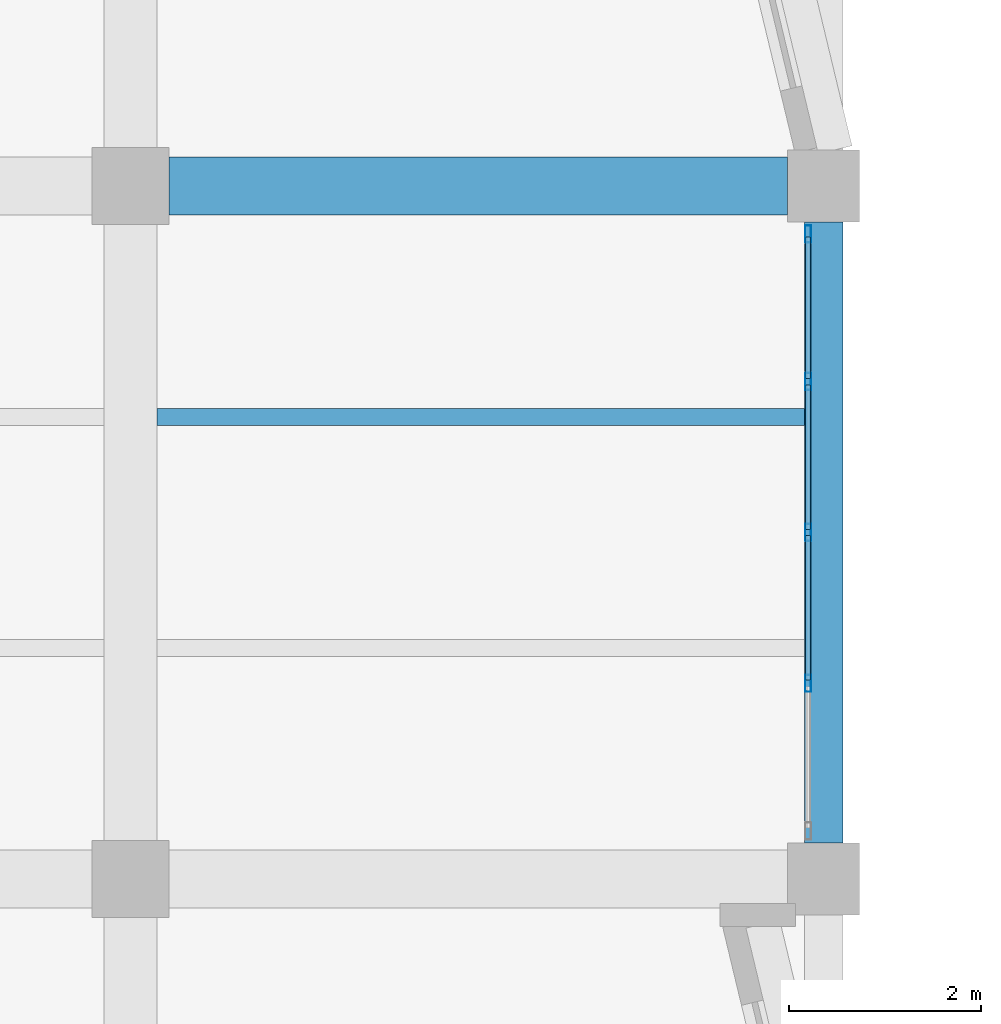
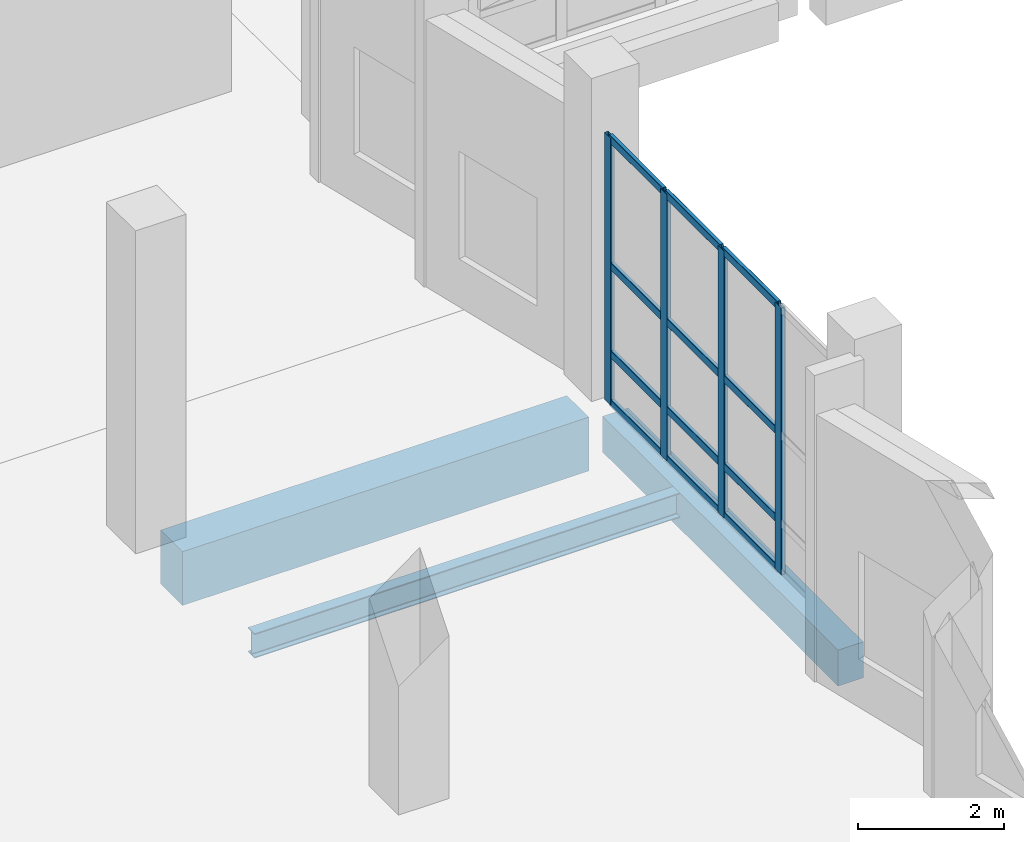
# One storey, part 48 of 137: 16 members, 3 beams, 1 element without a shape of its own.
"""IFC4 building model written with IfcOpenShell, lengths in metres."""

from ifc_helpers import new_model, si_unit, direction, frame, origin, origin_2d, place, context, subcontext, project, spatial, rectangle, hollow_rectangle, i_section, extrude, material, material_profile, profile_set, type_object, element, aggregate, save


model = new_model("IFC4")

# Units and contexts
model_context = context("Model", 3, precision=1e-05, world=origin(), true_north=direction((0.0, 1.0)))
body_context = subcontext(model_context, "Body", "Model", "MODEL_VIEW")
ifc_project = project(units=[si_unit("LENGTHUNIT", "METRE"), si_unit("AREAUNIT", "SQUARE_METRE"), si_unit("VOLUMEUNIT", "CUBIC_METRE"), si_unit("PLANEANGLEUNIT", "RADIAN"), si_unit("MASSUNIT", "GRAM", prefix="KILO")], contexts=[model_context])

# Site, building, storey
site_placement = place(None, origin())
site = spatial("IfcSite", under=ifc_project, at=site_placement, CompositionType="ELEMENT")
building_placement = place(site_placement, origin())
building = spatial("IfcBuilding", under=site, at=building_placement, Name="Kalmorath City Hall", CompositionType="ELEMENT")
storey_placement = place(building_placement, origin())
storey = spatial("IfcBuildingStorey", under=building, at=storey_placement, Name="L00", CompositionType="ELEMENT", Elevation=0.0)

# Beams
ifc_material_1 = material(Name="Concrete C40/50", Category="concrete")
ifc_material_profile_1 = material_profile(ifc_material_1, rectangle(XDim=0.39990234375, YDim=0.60009765625, at=origin_2d()), Name="RC-BM-400X600")
ifc_profile_set_1 = profile_set([ifc_material_profile_1], Name="Concrete C40/50")
beam_type_1 = type_object("IfcBeamType", Name="Concrete edge beam 400x600", PredefinedType="SPANDREL", material=ifc_profile_set_1)
beam_1_placement = place(storey_placement, frame((28.800048828125, 79.574951171875, -0.60400390625), z_axis=(0.0, 1.0, 0.0), x_axis=(-1.0, 0.0, 0.0)))
element("IfcBeam", 1, at=beam_1_placement, inside=storey, type_object=beam_type_1, Name="L00 girder CB6 Y5/12-13", PredefinedType="SPANDREL", context=body_context, shape_type="SweptSolid", body=[
    extrude(rectangle(XDim=0.39990234375, YDim=0.60009765625, at=origin_2d()), origin(), (0.0, 0.0, 1.0), 6.449951171875),
])
ifc_material_2 = material(Name="Concrete C40/50", Category="concrete")
ifc_material_profile_2 = material_profile(ifc_material_2, rectangle(XDim=0.60009765625, YDim=0.89990234375, at=origin_2d()), Name="RC-BM-600X900")
ifc_profile_set_2 = profile_set([ifc_material_profile_2], Name="Concrete C40/50")
beam_type_2 = type_object("IfcBeamType", Name="Concrete floor girder 600x900", PredefinedType="BEAM", material=ifc_profile_set_2)
beam_2_placement = place(storey_placement, frame((22.0, 86.39990234375, -0.75390625), z_axis=(1.0, 0.0, 0.0), x_axis=(0.0, 1.0, 0.0)))
element("IfcBeam", 2, at=beam_2_placement, inside=storey, type_object=beam_type_2, Name="L00 girder CB1 X4-5/13", PredefinedType="BEAM", context=body_context, shape_type="SweptSolid", body=[
    extrude(rectangle(XDim=0.60009765625, YDim=0.89990234375, at=origin_2d()), origin(), (0.0, 0.0, 1.0), 6.425048828125),
])

# Curtain wall, members
ifc_material_3 = material(Name="Anodised aluminium and laminated glass", Category="aluminium")
curtain_wall_type = type_object("IfcCurtainWallType", Name="Unitised hurricane curtain wall 6270x4461 M1600", PredefinedType="NOTDEFINED", material=ifc_material_3)
curtain_wall_placement = place(storey_placement, origin())
curtain_wall = element("IfcCurtainWall", 3, at=curtain_wall_placement, inside=storey, type_object=curtain_wall_type, Name="L00 curtain wall CW-63X45M16 #55", PredefinedType="NOTDEFINED")
ifc_material_4 = material(Name="Anodised aluminium framing", Category="aluminium")
ifc_material_profile_3 = material_profile(ifc_material_4, hollow_rectangle(XDim=0.06494140625, YDim=0.179931640625, WallThickness=0.00390625, InnerFilletRadius=0.00390625, OuterFilletRadius=0.008056640625, at=origin_2d()), Name="ALU-MUL-180X65X4")
ifc_profile_set_3 = profile_set([ifc_material_profile_3], Name="Anodised aluminium framing")
member_type_1 = type_object("IfcMemberType", Name="Curtain-wall courtyard mullion 180x65", PredefinedType="MULLION", material=ifc_profile_set_3)
member_1_placement = place(storey_placement, frame((28.639892578125, 85.902587890625, 0.0), z_axis=(0.0, 0.0, 1.0), x_axis=(1.0, 0.0, 0.0)))
member_1 = element("IfcMember", 4, at=member_1_placement, type_object=member_type_1, Name="CW-63X45M16 mullion 1", PredefinedType="MULLION", context=body_context, shape_type="SweptSolid", body=[
    extrude(hollow_rectangle(XDim=0.06494140625, YDim=0.179931640625, WallThickness=0.00390625, InnerFilletRadius=0.00390625, OuterFilletRadius=0.008056640625, at=origin_2d()), origin(), (0.0, 0.0, 1.0), 4.4609375),
])
member_2_placement = place(storey_placement, frame((28.639892578125, 84.367431640625, 0.0), z_axis=(0.0, 0.0, 1.0), x_axis=(1.0, 0.0, 0.0)))
member_2 = element("IfcMember", 5, at=member_2_placement, type_object=member_type_1, Name="CW-63X45M16 mullion 2", PredefinedType="MULLION", context=body_context, shape_type="SweptSolid", body=[
    extrude(hollow_rectangle(XDim=0.06494140625, YDim=0.179931640625, WallThickness=0.00390625, InnerFilletRadius=0.00390625, OuterFilletRadius=0.008056640625, at=origin_2d()), origin(), (0.0, 0.0, 1.0), 4.4609375),
])
member_3_placement = place(storey_placement, frame((28.639892578125, 82.800048828125, 0.0), z_axis=(0.0, 0.0, 1.0), x_axis=(1.0, 0.0, 0.0)))
member_3 = element("IfcMember", 6, at=member_3_placement, type_object=member_type_1, Name="CW-63X45M16 mullion 3", PredefinedType="MULLION", context=body_context, shape_type="SweptSolid", body=[
    extrude(hollow_rectangle(XDim=0.06494140625, YDim=0.179931640625, WallThickness=0.00390625, InnerFilletRadius=0.00390625, OuterFilletRadius=0.008056640625, at=origin_2d()), origin(), (0.0, 0.0, 1.0), 4.4609375),
])
member_4_placement = place(storey_placement, frame((28.639892578125, 81.232421875, 0.0), z_axis=(0.0, 0.0, 1.0), x_axis=(1.0, 0.0, 0.0)))
member_4 = element("IfcMember", 7, at=member_4_placement, type_object=member_type_1, Name="CW-63X45M16 mullion 4", PredefinedType="MULLION", context=body_context, shape_type="SweptSolid", body=[
    extrude(hollow_rectangle(XDim=0.06494140625, YDim=0.179931640625, WallThickness=0.00390625, InnerFilletRadius=0.00390625, OuterFilletRadius=0.008056640625, at=origin_2d()), origin(), (0.0, 0.0, 1.0), 4.4609375),
])
ifc_material_5 = material(Name="Anodised aluminium framing", Category="aluminium")
ifc_material_profile_4 = material_profile(ifc_material_5, hollow_rectangle(XDim=0.06005859375, YDim=0.1298828125, WallThickness=0.00341796875, InnerFilletRadius=0.00341796875, OuterFilletRadius=0.007080078125, at=origin_2d()), Name="ALU-TRN-130X60X3.5")
ifc_profile_set_4 = profile_set([ifc_material_profile_4], Name="Anodised aluminium framing")
member_type_2 = type_object("IfcMemberType", Name="Curtain-wall courtyard transom 130x60", PredefinedType="USERDEFINED", material=ifc_profile_set_4)
member_5_placement = place(storey_placement, frame((28.639892578125, 85.8701171875, 0.030029296875), z_axis=(0.0, -1.0, 0.0), x_axis=(1.0, 0.0, 0.0)))
member_5 = element("IfcMember", 8, at=member_5_placement, type_object=member_type_2, Name="CW-63X45M16 transom 1.1", ObjectType="TRANSOM", PredefinedType="USERDEFINED", context=body_context, shape_type="SweptSolid", body=[
    extrude(hollow_rectangle(XDim=0.06005859375, YDim=0.1298828125, WallThickness=0.00341796875, InnerFilletRadius=0.00341796875, OuterFilletRadius=0.007080078125, at=origin_2d()), origin(), (0.0, 0.0, 1.0), 1.47021484375),
])
member_6_placement = place(storey_placement, frame((28.639892578125, 85.8701171875, 0.85009765625), z_axis=(0.0, -1.0, 0.0), x_axis=(1.0, 0.0, 0.0)))
member_6 = element("IfcMember", 9, at=member_6_placement, type_object=member_type_2, Name="CW-63X45M16 transom 1.2", ObjectType="TRANSOM", PredefinedType="USERDEFINED", context=body_context, shape_type="SweptSolid", body=[
    extrude(hollow_rectangle(XDim=0.06005859375, YDim=0.1298828125, WallThickness=0.00341796875, InnerFilletRadius=0.00341796875, OuterFilletRadius=0.007080078125, at=origin_2d()), origin(), (0.0, 0.0, 1.0), 1.47021484375),
])
member_7_placement = place(storey_placement, frame((28.639892578125, 85.8701171875, 2.320068359375), z_axis=(0.0, -1.0, 0.0), x_axis=(1.0, 0.0, 0.0)))
member_7 = element("IfcMember", 10, at=member_7_placement, type_object=member_type_2, Name="CW-63X45M16 transom 1.3", ObjectType="TRANSOM", PredefinedType="USERDEFINED", context=body_context, shape_type="SweptSolid", body=[
    extrude(hollow_rectangle(XDim=0.06005859375, YDim=0.1298828125, WallThickness=0.00341796875, InnerFilletRadius=0.00341796875, OuterFilletRadius=0.007080078125, at=origin_2d()), origin(), (0.0, 0.0, 1.0), 1.47021484375),
])
member_8_placement = place(storey_placement, frame((28.639892578125, 85.8701171875, 4.430908203125), z_axis=(0.0, -1.0, 0.0), x_axis=(1.0, 0.0, 0.0)))
member_8 = element("IfcMember", 11, at=member_8_placement, type_object=member_type_2, Name="CW-63X45M16 transom 1.4", ObjectType="TRANSOM", PredefinedType="USERDEFINED", context=body_context, shape_type="SweptSolid", body=[
    extrude(hollow_rectangle(XDim=0.06005859375, YDim=0.1298828125, WallThickness=0.00341796875, InnerFilletRadius=0.00341796875, OuterFilletRadius=0.007080078125, at=origin_2d()), origin(), (0.0, 0.0, 1.0), 1.47021484375),
])
member_9_placement = place(storey_placement, frame((28.639892578125, 84.3349609375, 0.030029296875), z_axis=(0.0, -1.0, 0.0), x_axis=(1.0, 0.0, 0.0)))
member_9 = element("IfcMember", 12, at=member_9_placement, type_object=member_type_2, Name="CW-63X45M16 transom 2.1", ObjectType="TRANSOM", PredefinedType="USERDEFINED", context=body_context, shape_type="SweptSolid", body=[
    extrude(hollow_rectangle(XDim=0.06005859375, YDim=0.1298828125, WallThickness=0.00341796875, InnerFilletRadius=0.00341796875, OuterFilletRadius=0.007080078125, at=origin_2d()), origin(), (0.0, 0.0, 1.0), 1.50244140625),
])
member_10_placement = place(storey_placement, frame((28.639892578125, 84.3349609375, 0.85009765625), z_axis=(0.0, -1.0, 0.0), x_axis=(1.0, 0.0, 0.0)))
member_10 = element("IfcMember", 13, at=member_10_placement, type_object=member_type_2, Name="CW-63X45M16 transom 2.2", ObjectType="TRANSOM", PredefinedType="USERDEFINED", context=body_context, shape_type="SweptSolid", body=[
    extrude(hollow_rectangle(XDim=0.06005859375, YDim=0.1298828125, WallThickness=0.00341796875, InnerFilletRadius=0.00341796875, OuterFilletRadius=0.007080078125, at=origin_2d()), origin(), (0.0, 0.0, 1.0), 1.50244140625),
])
member_11_placement = place(storey_placement, frame((28.639892578125, 84.3349609375, 2.320068359375), z_axis=(0.0, -1.0, 0.0), x_axis=(1.0, 0.0, 0.0)))
member_11 = element("IfcMember", 14, at=member_11_placement, type_object=member_type_2, Name="CW-63X45M16 transom 2.3", ObjectType="TRANSOM", PredefinedType="USERDEFINED", context=body_context, shape_type="SweptSolid", body=[
    extrude(hollow_rectangle(XDim=0.06005859375, YDim=0.1298828125, WallThickness=0.00341796875, InnerFilletRadius=0.00341796875, OuterFilletRadius=0.007080078125, at=origin_2d()), origin(), (0.0, 0.0, 1.0), 1.50244140625),
])
member_12_placement = place(storey_placement, frame((28.639892578125, 84.3349609375, 4.430908203125), z_axis=(0.0, -1.0, 0.0), x_axis=(1.0, 0.0, 0.0)))
member_12 = element("IfcMember", 15, at=member_12_placement, type_object=member_type_2, Name="CW-63X45M16 transom 2.4", ObjectType="TRANSOM", PredefinedType="USERDEFINED", context=body_context, shape_type="SweptSolid", body=[
    extrude(hollow_rectangle(XDim=0.06005859375, YDim=0.1298828125, WallThickness=0.00341796875, InnerFilletRadius=0.00341796875, OuterFilletRadius=0.007080078125, at=origin_2d()), origin(), (0.0, 0.0, 1.0), 1.50244140625),
])
member_13_placement = place(storey_placement, frame((28.639892578125, 82.767578125, 0.030029296875), z_axis=(0.0, -1.0, 0.0), x_axis=(1.0, 0.0, 0.0)))
member_13 = element("IfcMember", 16, at=member_13_placement, type_object=member_type_2, Name="CW-63X45M16 transom 3.1", ObjectType="TRANSOM", PredefinedType="USERDEFINED", context=body_context, shape_type="SweptSolid", body=[
    extrude(hollow_rectangle(XDim=0.06005859375, YDim=0.1298828125, WallThickness=0.00341796875, InnerFilletRadius=0.00341796875, OuterFilletRadius=0.007080078125, at=origin_2d()), origin(), (0.0, 0.0, 1.0), 1.502685546875),
])
member_14_placement = place(storey_placement, frame((28.639892578125, 82.767578125, 0.85009765625), z_axis=(0.0, -1.0, 0.0), x_axis=(1.0, 0.0, 0.0)))
member_14 = element("IfcMember", 17, at=member_14_placement, type_object=member_type_2, Name="CW-63X45M16 transom 3.2", ObjectType="TRANSOM", PredefinedType="USERDEFINED", context=body_context, shape_type="SweptSolid", body=[
    extrude(hollow_rectangle(XDim=0.06005859375, YDim=0.1298828125, WallThickness=0.00341796875, InnerFilletRadius=0.00341796875, OuterFilletRadius=0.007080078125, at=origin_2d()), origin(), (0.0, 0.0, 1.0), 1.502685546875),
])
member_15_placement = place(storey_placement, frame((28.639892578125, 82.767578125, 2.320068359375), z_axis=(0.0, -1.0, 0.0), x_axis=(1.0, 0.0, 0.0)))
member_15 = element("IfcMember", 18, at=member_15_placement, type_object=member_type_2, Name="CW-63X45M16 transom 3.3", ObjectType="TRANSOM", PredefinedType="USERDEFINED", context=body_context, shape_type="SweptSolid", body=[
    extrude(hollow_rectangle(XDim=0.06005859375, YDim=0.1298828125, WallThickness=0.00341796875, InnerFilletRadius=0.00341796875, OuterFilletRadius=0.007080078125, at=origin_2d()), origin(), (0.0, 0.0, 1.0), 1.502685546875),
])
member_16_placement = place(storey_placement, frame((28.639892578125, 82.767578125, 4.430908203125), z_axis=(0.0, -1.0, 0.0), x_axis=(1.0, 0.0, 0.0)))
member_16 = element("IfcMember", 19, at=member_16_placement, type_object=member_type_2, Name="CW-63X45M16 transom 3.4", ObjectType="TRANSOM", PredefinedType="USERDEFINED", context=body_context, shape_type="SweptSolid", body=[
    extrude(hollow_rectangle(XDim=0.06005859375, YDim=0.1298828125, WallThickness=0.00341796875, InnerFilletRadius=0.00341796875, OuterFilletRadius=0.007080078125, at=origin_2d()), origin(), (0.0, 0.0, 1.0), 1.502685546875),
])
aggregate(curtain_wall, [member_1, member_2, member_3, member_4, member_5, member_6, member_7, member_8, member_9, member_10, member_11, member_12, member_13, member_14, member_15, member_16])

# Beam
ifc_material_6 = material(Name="Steel ASTM A992 Grade 50", Category="steel")
ifc_material_profile_5 = material_profile(ifc_material_6, i_section(OverallWidth=0.178955078125, OverallDepth=0.409912109375, WebThickness=0.0087890625, FlangeThickness=0.014404296875, FilletRadius=0.012939453125, at=origin_2d()), Name="W16X45")
ifc_profile_set_5 = profile_set([ifc_material_profile_5], Name="Steel ASTM A992 Grade 50")
beam_type_3 = type_object("IfcBeamType", Name="Steel composite joist W16X45", PredefinedType="JOIST", material=ifc_profile_set_5)
beam_3_placement = place(storey_placement, frame((21.875, 84.0, -0.509033203125), z_axis=(1.0, 0.0, 0.0), x_axis=(0.0, 1.0, 0.0)))
element("IfcBeam", 20, at=beam_3_placement, inside=storey, type_object=beam_type_3, Name="L00 joist SJ6 4.12.2", PredefinedType="JOIST", context=body_context, shape_type="SweptSolid", body=[
    extrude(i_section(OverallWidth=0.178955078125, OverallDepth=0.409912109375, WebThickness=0.0087890625, FlangeThickness=0.014404296875, FilletRadius=0.012939453125, at=origin_2d()), origin(), (0.0, 0.0, 1.0), 6.72509765625),
])

save(model, "model.ifc")
